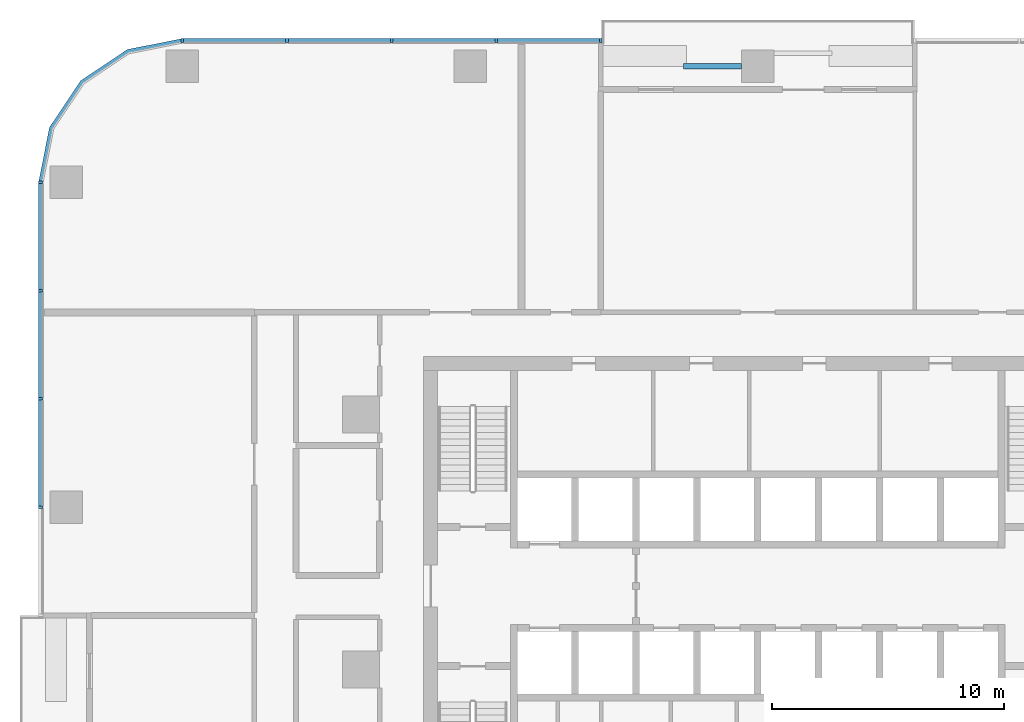
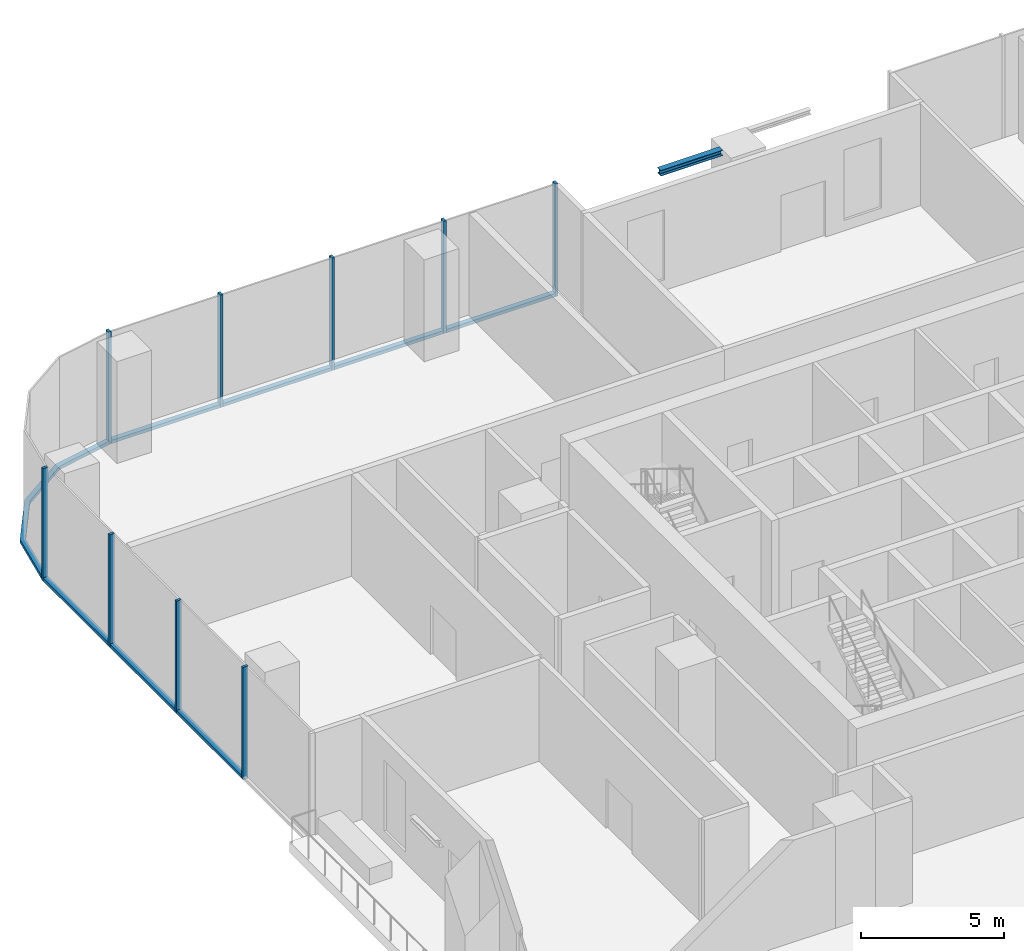
# One storey, part 4 of 14: 17 members, 1 beam, 3 elements without a shape of their own.
"""IFC4 building model written with IfcOpenShell, lengths in metres."""

from ifc_helpers import new_model, si_unit, direction, frame, origin, origin_2d, place, context, subcontext, project, spatial, polyline, rectangle, i_section, outline, extrude, material, material_profile, profile_set, type_object, element, aggregate, save


model = new_model("IFC4")

# Units and contexts
model_context = context("Model", 3, precision=1e-05, world=origin(), true_north=direction((0.0, 1.0)))
body_context = subcontext(model_context, "Body", "Model", "MODEL_VIEW")
ifc_project = project(units=[si_unit("LENGTHUNIT", "METRE"), si_unit("AREAUNIT", "SQUARE_METRE"), si_unit("VOLUMEUNIT", "CUBIC_METRE"), si_unit("PLANEANGLEUNIT", "RADIAN"), si_unit("MASSUNIT", "GRAM", prefix="KILO")], contexts=[model_context])

# Site, building, storey
site_placement = place(None, origin())
site = spatial("IfcSite", under=ifc_project, at=site_placement, CompositionType="ELEMENT")
building_placement = place(site_placement, origin())
building = spatial("IfcBuilding", under=site, at=building_placement, Name="Mopane Tessera Tower", CompositionType="ELEMENT")
storey_placement = place(building_placement, frame((0.0, 0.0, 35.800048828125)))
storey = spatial("IfcBuildingStorey", under=building, at=storey_placement, Name="L06", CompositionType="ELEMENT", Elevation=35.800048828125)

# Curtain wall, members
ifc_material_1 = material(Name="Aluminium frame", Category="aluminium")
curtain_wall_type = type_object("IfcCurtainWallType", Name="Lower tower unitised wall", PredefinedType="NOTDEFINED", material=ifc_material_1)
curtain_wall_1_placement = place(storey_placement, origin())
curtain_wall_1 = element("IfcCurtainWall", 1, at=curtain_wall_1_placement, inside=storey, type_object=curtain_wall_type, Name="e:cw:L06:N:7", PredefinedType="NOTDEFINED")
ifc_material_2 = material(Name="Aluminium frame", Category="aluminium")
ifc_material_profile_1 = material_profile(ifc_material_2, rectangle(XDim=0.110107421875, YDim=0.199951171875, at=origin_2d()))
ifc_profile_set_1 = profile_set([ifc_material_profile_1], Name="Aluminium frame")
member_type_1 = type_object("IfcMemberType", Name="Aluminium mullion 110 x 200", PredefinedType="MULLION", material=ifc_profile_set_1)
member_1_placement = place(storey_placement, frame((-6.763671875, 27.10009765625, -0.449951171875), z_axis=(0.0, 0.0, 1.0), x_axis=(-1.0, 0.0, 0.0)))
member_1 = element("IfcMember", 2, at=member_1_placement, type_object=member_type_1, Name="e:cw:L06:N:7:mu7", PredefinedType="MULLION", context=body_context, shape_type="SweptSolid", body=[
    extrude(rectangle(XDim=0.110107421875, YDim=0.199951171875, at=origin_2d()), origin(), (0.0, 0.0, 1.0), 4.7998046875),
])
member_2_placement = place(storey_placement, frame((-11.272705078125, 27.10009765625, -0.449951171875), z_axis=(0.0, 0.0, 1.0), x_axis=(-1.0, 0.0, 0.0)))
member_2 = element("IfcMember", 3, at=member_2_placement, type_object=member_type_1, Name="e:cw:L06:N:7:mu8", PredefinedType="MULLION", context=body_context, shape_type="SweptSolid", body=[
    extrude(rectangle(XDim=0.110107421875, YDim=0.199951171875, at=origin_2d()), origin(), (0.0, 0.0, 1.0), 4.7998046875),
])
member_3_placement = place(storey_placement, frame((-15.78173828125, 27.10009765625, -0.449951171875), z_axis=(0.0, 0.0, 1.0), x_axis=(-1.0, 0.0, 0.0)))
member_3 = element("IfcMember", 4, at=member_3_placement, type_object=member_type_1, Name="e:cw:L06:N:7:mu9", PredefinedType="MULLION", context=body_context, shape_type="SweptSolid", body=[
    extrude(rectangle(XDim=0.110107421875, YDim=0.199951171875, at=origin_2d()), origin(), (0.0, 0.0, 1.0), 4.7998046875),
])
member_4_placement = place(storey_placement, frame((-20.291015625, 27.10009765625, -0.449951171875), z_axis=(0.0, 0.0, 1.0), x_axis=(-1.0, 0.0, 0.0)))
member_4 = element("IfcMember", 5, at=member_4_placement, type_object=member_type_1, Name="e:cw:L06:N:7:mu10", PredefinedType="MULLION", context=body_context, shape_type="SweptSolid", body=[
    extrude(rectangle(XDim=0.110107421875, YDim=0.199951171875, at=origin_2d()), origin(), (0.0, 0.0, 1.0), 4.7998046875),
])
member_5_placement = place(storey_placement, frame((-24.800048828125, 27.10009765625, -0.449951171875), z_axis=(0.0, 0.0, 1.0), x_axis=(-1.0, 0.0, 0.0)))
member_5 = element("IfcMember", 6, at=member_5_placement, type_object=member_type_1, Name="e:cw:L06:N:7:mu11", PredefinedType="MULLION", context=body_context, shape_type="SweptSolid", body=[
    extrude(rectangle(XDim=0.110107421875, YDim=0.199951171875, at=origin_2d()), origin(), (0.0, 0.0, 1.0), 4.7998046875),
])

curtain_wall_2_placement = place(storey_placement, origin())
curtain_wall_2 = element("IfcCurtainWall", 7, at=curtain_wall_2_placement, inside=storey, type_object=curtain_wall_type, Name="e:cw:L06:W:0", PredefinedType="NOTDEFINED")
member_6_placement = place(storey_placement, frame((-30.89990234375, 21.0, -0.449951171875), z_axis=(0.0, 0.0, 1.0), x_axis=(0.0, -1.0, 0.0)))
member_6 = element("IfcMember", 8, at=member_6_placement, type_object=member_type_1, Name="e:cw:L06:W:0:mu0", PredefinedType="MULLION", context=body_context, shape_type="SweptSolid", body=[
    extrude(rectangle(XDim=0.110107421875, YDim=0.199951171875, at=origin_2d()), origin(), (0.0, 0.0, 1.0), 4.7998046875),
])
member_7_placement = place(storey_placement, frame((-30.89990234375, 16.333251953125, -0.449951171875), z_axis=(0.0, 0.0, 1.0), x_axis=(0.0, -1.0, 0.0)))
member_7 = element("IfcMember", 9, at=member_7_placement, type_object=member_type_1, Name="e:cw:L06:W:0:mu1", PredefinedType="MULLION", context=body_context, shape_type="SweptSolid", body=[
    extrude(rectangle(XDim=0.110107421875, YDim=0.199951171875, at=origin_2d()), origin(), (0.0, 0.0, 1.0), 4.7998046875),
])
member_8_placement = place(storey_placement, frame((-30.89990234375, 11.666748046875, -0.449951171875), z_axis=(0.0, 0.0, 1.0), x_axis=(0.0, -1.0, 0.0)))
member_8 = element("IfcMember", 10, at=member_8_placement, type_object=member_type_1, Name="e:cw:L06:W:0:mu2", PredefinedType="MULLION", context=body_context, shape_type="SweptSolid", body=[
    extrude(rectangle(XDim=0.110107421875, YDim=0.199951171875, at=origin_2d()), origin(), (0.0, 0.0, 1.0), 4.7998046875),
])
member_9_placement = place(storey_placement, frame((-30.89990234375, 7.0, -0.449951171875), z_axis=(0.0, 0.0, 1.0), x_axis=(0.0, -1.0, 0.0)))
member_9 = element("IfcMember", 11, at=member_9_placement, type_object=member_type_1, Name="e:cw:L06:W:0:mu3", PredefinedType="MULLION", context=body_context, shape_type="SweptSolid", body=[
    extrude(rectangle(XDim=0.110107421875, YDim=0.199951171875, at=origin_2d()), origin(), (0.0, 0.0, 1.0), 4.7998046875),
])

# Member
ifc_material_3 = material(Name="Aluminium frame", Category="aluminium")
ifc_material_profile_2 = material_profile(ifc_material_3, rectangle(XDim=0.199951171875, YDim=0.139892578125, at=origin_2d()))
ifc_profile_set_2 = profile_set([ifc_material_profile_2], Name="Aluminium frame")
member_type_2 = type_object("IfcMemberType", Name="Aluminium transom 200 x 140", PredefinedType="USERDEFINED", material=ifc_profile_set_2)
member_10_placement = place(storey_placement, frame((-6.818603515625, 27.10009765625, -0.380126953125), z_axis=(-1.0, 0.0, 0.0), x_axis=(0.0, -1.0, 0.0)))
member_10 = element("IfcMember", 12, at=member_10_placement, type_object=member_type_2, Name="e:cw:L06:N:7:tr7", ObjectType="TRANSOM", PredefinedType="USERDEFINED", context=body_context, shape_type="SweptSolid", body=[
    extrude(rectangle(XDim=0.199951171875, YDim=0.139892578125, at=origin_2d()), origin(), (0.0, 0.0, 1.0), 4.399169921875),
])

member_11_placement = place(storey_placement, frame((-11.32763671875, 27.10009765625, -0.380126953125), z_axis=(-1.0, 0.0, 0.0), x_axis=(0.0, -1.0, 0.0)))
member_11 = element("IfcMember", 13, at=member_11_placement, type_object=member_type_2, Name="e:cw:L06:N:7:tr8", ObjectType="TRANSOM", PredefinedType="USERDEFINED", context=body_context, shape_type="SweptSolid", body=[
    extrude(rectangle(XDim=0.199951171875, YDim=0.139892578125, at=origin_2d()), origin(), (0.0, 0.0, 1.0), 4.399169921875),
])

member_12_placement = place(storey_placement, frame((-15.8369140625, 27.10009765625, -0.380126953125), z_axis=(-1.0, 0.0, 0.0), x_axis=(0.0, -1.0, 0.0)))
member_12 = element("IfcMember", 14, at=member_12_placement, type_object=member_type_2, Name="e:cw:L06:N:7:tr9", ObjectType="TRANSOM", PredefinedType="USERDEFINED", context=body_context, shape_type="SweptSolid", body=[
    extrude(rectangle(XDim=0.199951171875, YDim=0.139892578125, at=origin_2d()), origin(), (0.0, 0.0, 1.0), 4.39892578125),
])

member_13_placement = place(storey_placement, frame((-20.345947265625, 27.10009765625, -0.380126953125), z_axis=(-1.0, 0.0, 0.0), x_axis=(0.0, -1.0, 0.0)))
member_13 = element("IfcMember", 15, at=member_13_placement, type_object=member_type_2, Name="e:cw:L06:N:7:tr10", ObjectType="TRANSOM", PredefinedType="USERDEFINED", context=body_context, shape_type="SweptSolid", body=[
    extrude(rectangle(XDim=0.199951171875, YDim=0.139892578125, at=origin_2d()), origin(), (0.0, 0.0, 1.0), 4.399169921875),
])

aggregate(curtain_wall_1, [member_1, member_2, member_3, member_4, member_5, member_10, member_11, member_12, member_13])

# Curtain wall, member
curtain_wall_3_placement = place(storey_placement, origin())
curtain_wall_3 = element("IfcCurtainWall", 16, at=curtain_wall_3_placement, inside=storey, type_object=curtain_wall_type, Name="e:cw:L06:CN", PredefinedType="NOTDEFINED")
member_14_placement = place(storey_placement, frame((0.0, 0.0, -0.449951171875)))
member_14 = element("IfcMember", 17, at=member_14_placement, type_object=member_type_2, Name="e:cw:L06:CN:tr", ObjectType="TRANSOM", PredefinedType="USERDEFINED", context=body_context, shape_type="SweptSolid", body=[
    extrude(outline(polyline([(-24.800048828125, 27.0), (-27.09619140625, 26.543212890625), (-29.042724609375, 25.24267578125), (-30.34326171875, 23.296142578125), (-30.800048828125, 21.0), (-31.0, 21.0), (-30.528076171875, 23.37255859375), (-29.18408203125, 25.384033203125), (-27.172607421875, 26.72802734375), (-24.800048828125, 27.199951171875), (-24.800048828125, 27.0)])), origin(), (0.0, 0.0, 1.0), 0.139892578125),
])
aggregate(curtain_wall_3, [member_14])

# Member
member_15_placement = place(storey_placement, frame((-30.89990234375, 20.945068359375, -0.380126953125), z_axis=(0.0, -1.0, 0.0), x_axis=(1.0, 0.0, 0.0)))
member_15 = element("IfcMember", 18, at=member_15_placement, type_object=member_type_2, Name="e:cw:L06:W:0:tr0", ObjectType="TRANSOM", PredefinedType="USERDEFINED", context=body_context, shape_type="SweptSolid", body=[
    extrude(rectangle(XDim=0.199951171875, YDim=0.139892578125, at=origin_2d()), origin(), (0.0, 0.0, 1.0), 4.556640625),
])

member_16_placement = place(storey_placement, frame((-30.89990234375, 16.2783203125, -0.380126953125), z_axis=(0.0, -1.0, 0.0), x_axis=(1.0, 0.0, 0.0)))
member_16 = element("IfcMember", 19, at=member_16_placement, type_object=member_type_2, Name="e:cw:L06:W:0:tr1", ObjectType="TRANSOM", PredefinedType="USERDEFINED", context=body_context, shape_type="SweptSolid", body=[
    extrude(rectangle(XDim=0.199951171875, YDim=0.139892578125, at=origin_2d()), origin(), (0.0, 0.0, 1.0), 4.556640625),
])

member_17_placement = place(storey_placement, frame((-30.89990234375, 11.611572265625, -0.380126953125), z_axis=(0.0, -1.0, 0.0), x_axis=(1.0, 0.0, 0.0)))
member_17 = element("IfcMember", 20, at=member_17_placement, type_object=member_type_2, Name="e:cw:L06:W:0:tr2", ObjectType="TRANSOM", PredefinedType="USERDEFINED", context=body_context, shape_type="SweptSolid", body=[
    extrude(rectangle(XDim=0.199951171875, YDim=0.139892578125, at=origin_2d()), origin(), (0.0, 0.0, 1.0), 4.556640625),
])

aggregate(curtain_wall_2, [member_6, member_7, member_8, member_9, member_15, member_16, member_17])

# Beam
ifc_material_4 = material(Name="Structural steel S460", Category="steel")
ifc_material_profile_3 = material_profile(ifc_material_4, i_section(OverallWidth=0.239990234375, OverallDepth=0.239990234375, WebThickness=0.010009765625, FlangeThickness=0.01708984375, FilletRadius=0.02099609375, at=origin_2d()))
ifc_profile_set_3 = profile_set([ifc_material_profile_3], Name="Structural steel S460")
beam_type = type_object("IfcBeamType", Name="Terrace spandrel beam HE 240 B", PredefinedType="SPANDREL", material=ifc_profile_set_3)
beam_placement = place(storey_placement, frame((-0.702880859375, 26.0, 4.22998046875), z_axis=(-1.0, 0.0, 0.0), x_axis=(0.0, -1.0, 0.0)))
element("IfcBeam", 21, at=beam_placement, inside=storey, type_object=beam_type, Name="Terrace spandrel beam N2 L07", PredefinedType="SPANDREL", context=body_context, shape_type="SweptSolid", body=[
    extrude(i_section(OverallWidth=0.239990234375, OverallDepth=0.239990234375, WebThickness=0.010009765625, FlangeThickness=0.01708984375, FilletRadius=0.02099609375, at=origin_2d()), origin(), (0.0, 0.0, 1.0), 2.5),
])

save(model, "model.ifc")
